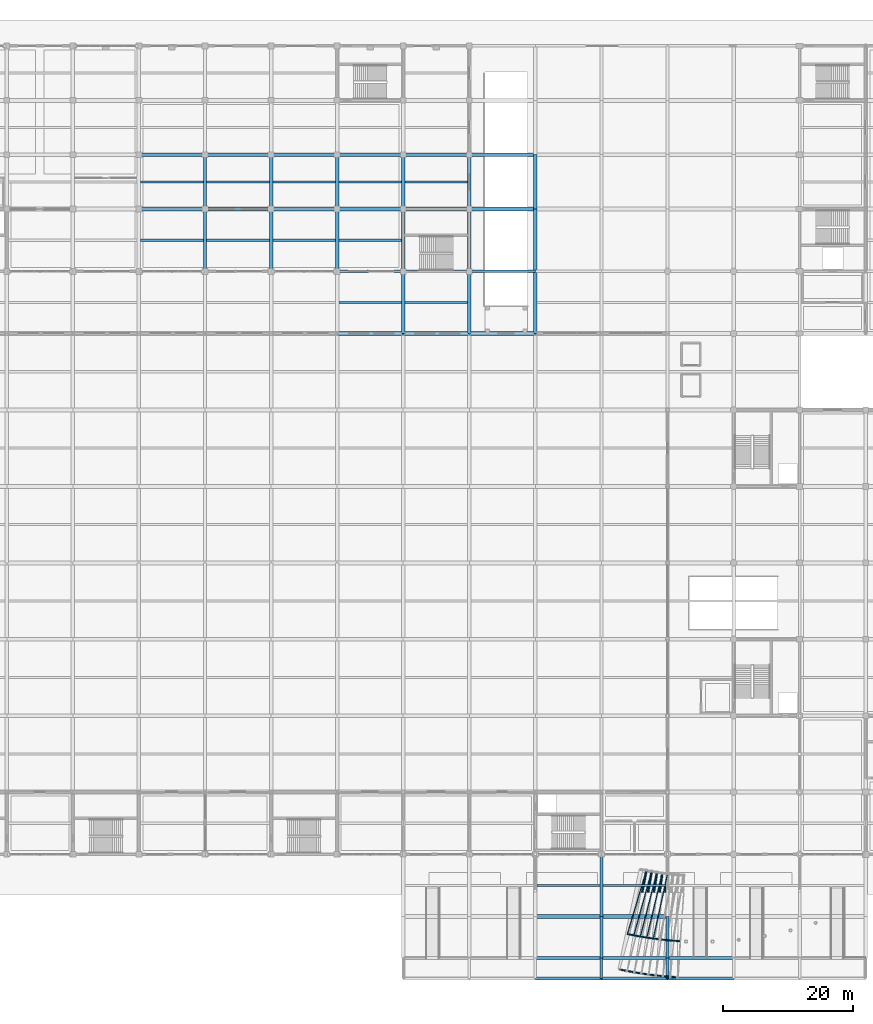
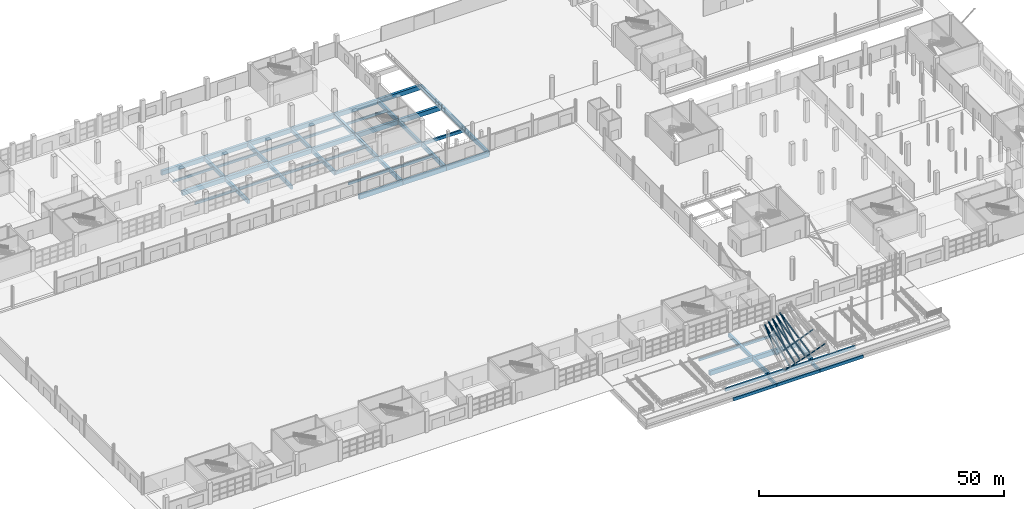
# One storey, part 48 of 124: 59 beams, 26 members.
"""IFC4 building model written with IfcOpenShell, lengths in metres."""

from ifc_helpers import new_model, si_unit, direction, frame, origin, origin_2d, place, context, subcontext, project, spatial, rectangle, hollow_circle, extrude, material, material_profile, profile_set, type_object, element, save


model = new_model("IFC4")

# Units and contexts
model_context = context("Model", 3, precision=1e-05, world=origin(), true_north=direction((0.0, 1.0)))
body_context = subcontext(model_context, "Body", "Model", "MODEL_VIEW")
ifc_project = project(units=[si_unit("LENGTHUNIT", "METRE"), si_unit("AREAUNIT", "SQUARE_METRE"), si_unit("VOLUMEUNIT", "CUBIC_METRE"), si_unit("PLANEANGLEUNIT", "RADIAN"), si_unit("MASSUNIT", "GRAM", prefix="KILO")], contexts=[model_context])

# Site, building, storey
site_placement = place(None, origin())
site = spatial("IfcSite", under=ifc_project, at=site_placement, CompositionType="ELEMENT")
building_placement = place(site_placement, origin())
building = spatial("IfcBuilding", under=site, at=building_placement, Name="Brelvane Convention Centre", CompositionType="ELEMENT")
storey_placement = place(building_placement, origin())
storey = spatial("IfcBuildingStorey", under=building, at=storey_placement, Name="L00", CompositionType="ELEMENT", Elevation=0.0)

# Beams
ifc_material_1 = material(Name="Concrete M50", Category="concrete")
ifc_material_profile_1 = material_profile(ifc_material_1, rectangle(XDim=0.60009765625, YDim=1.10009765625, at=origin_2d()), Name="RC 600x1100")
ifc_profile_set_1 = profile_set([ifc_material_profile_1], Name="Concrete M50")
beam_type_1 = type_object("IfcBeamType", Name="RC Beam B-RC2 (RC 600x1100)", PredefinedType="BEAM", material=ifc_profile_set_1)
for number, where, z_axis, x_axis, name in (
    (1, (61.199951171875, 118.800048828125, -0.97998046875), (1.0, 0.0, 0.0), (0.0, 1.0, 0.0), "L00 Beam 7-8/M"),
    (2, (61.199951171875, 127.199951171875, -0.97998046875), (1.0, 0.0, 0.0), (0.0, 1.0, 0.0), "L00 Beam 7-8/N"),
):
    element("IfcBeam", number, at=place(storey_placement, frame(where, z_axis=z_axis, x_axis=x_axis)), inside=storey, type_object=beam_type_1, Name=name, PredefinedType="BEAM", context=body_context, shape_type="SweptSolid", body=[
        extrude(rectangle(XDim=0.60009765625, YDim=1.10009765625, at=origin_2d()), origin(), (0.0, 0.0, 1.0), 10.199951171875),
    ])
for number, where, z_axis, x_axis, name in (
    (3, (71.39990234375, 118.800048828125, -0.97998046875), (1.0, 0.0, 0.0), (0.0, 1.0, 0.0), "L00 Beam 8-9/M"),
    (4, (71.39990234375, 127.199951171875, -0.97998046875), (1.0, 0.0, 0.0), (0.0, 1.0, 0.0), "L00 Beam 8-9/N"),
):
    element("IfcBeam", number, at=place(storey_placement, frame(where, z_axis=z_axis, x_axis=x_axis)), inside=storey, type_object=beam_type_1, Name=name, PredefinedType="BEAM", context=body_context, shape_type="SweptSolid", body=[
        extrude(rectangle(XDim=0.60009765625, YDim=1.10009765625, at=origin_2d()), origin(), (0.0, 0.0, 1.0), 10.2001953125),
    ])
for number, where, z_axis, x_axis, name in (
    (5, (81.60009765625, 118.800048828125, -0.97998046875), (1.0, 0.0, 0.0), (0.0, 1.0, 0.0), "L00 Beam 9-10/M"),
    (6, (81.60009765625, 127.199951171875, -0.97998046875), (1.0, 0.0, 0.0), (0.0, 1.0, 0.0), "L00 Beam 9-10/N"),
    (7, (91.800048828125, 99.60009765625, -0.949951171875), (1.0, 0.0, 0.0), (0.0, 1.0, 0.0), "L00 Beam 10-11/K"),
    (8, (91.800048828125, 118.800048828125, -0.97998046875), (1.0, 0.0, 0.0), (0.0, 1.0, 0.0), "L00 Beam 10-11/M"),
    (9, (91.800048828125, 127.199951171875, -0.97998046875), (1.0, 0.0, 0.0), (0.0, 1.0, 0.0), "L00 Beam 10-11/N"),
    (10, (102.0, 99.60009765625, -0.949951171875), (1.0, 0.0, 0.0), (0.0, 1.0, 0.0), "L00 Beam 11-12/K"),
    (11, (102.0, 118.800048828125, -0.97998046875), (1.0, 0.0, 0.0), (0.0, 1.0, 0.0), "L00 Beam 11-12/M"),
    (12, (102.0, 127.199951171875, -0.97998046875), (1.0, 0.0, 0.0), (0.0, 1.0, 0.0), "L00 Beam 11-12/N"),
    (13, (112.199951171875, 99.60009765625, -0.949951171875), (1.0, 0.0, 0.0), (0.0, 1.0, 0.0), "L00 Beam 12-13/K"),
    (14, (112.199951171875, 118.800048828125, -0.949951171875), (1.0, 0.0, 0.0), (0.0, 1.0, 0.0), "L00 Beam 12-13/M"),
    (15, (112.199951171875, 127.199951171875, -0.949951171875), (1.0, 0.0, 0.0), (0.0, 1.0, 0.0), "L00 Beam 12-13/N"),
):
    element("IfcBeam", number, at=place(storey_placement, frame(where, z_axis=z_axis, x_axis=x_axis)), inside=storey, type_object=beam_type_1, Name=name, PredefinedType="BEAM", context=body_context, shape_type="SweptSolid", body=[
        extrude(rectangle(XDim=0.60009765625, YDim=1.10009765625, at=origin_2d()), origin(), (0.0, 0.0, 1.0), 10.199951171875),
    ])
beam_1_placement = place(storey_placement, frame((122.39990234375, 9.60009765625, -0.949951171875), z_axis=(1.0, 0.0, 0.0), x_axis=(0.0, 1.0, 0.0)))
element("IfcBeam", 16, at=beam_1_placement, inside=storey, type_object=beam_type_1, Name="L00 Beam 13-14/B", PredefinedType="BEAM", context=body_context, shape_type="SweptSolid", body=[
    extrude(rectangle(XDim=0.60009765625, YDim=1.10009765625, at=origin_2d()), origin(), (0.0, 0.0, 1.0), 10.2001953125),
])
beam_2_placement = place(storey_placement, frame((132.60009765625, 9.60009765625, -0.949951171875), z_axis=(1.0, 0.0, 0.0), x_axis=(0.0, 1.0, 0.0)))
element("IfcBeam", 17, at=beam_2_placement, inside=storey, type_object=beam_type_1, Name="L00 Beam 14-15/B", PredefinedType="BEAM", context=body_context, shape_type="SweptSolid", body=[
    extrude(rectangle(XDim=0.60009765625, YDim=1.10009765625, at=origin_2d()), origin(), (0.0, 0.0, 1.0), 10.199951171875),
])
ifc_material_2 = material(Name="Concrete M50", Category="concrete")
ifc_material_profile_2 = material_profile(ifc_material_2, rectangle(XDim=0.52001953125, YDim=0.949951171875, at=origin_2d()), Name="RC 520x950")
ifc_profile_set_2 = profile_set([ifc_material_profile_2], Name="Concrete M50")
beam_type_2 = type_object("IfcBeamType", Name="RC Beam B-RC9 (RC 520x950)", PredefinedType="BEAM", material=ifc_profile_set_2)
for number, where, z_axis, x_axis, name in (
    (18, (132.60009765625, 3.199951171875, -0.875), (0.0, 1.0, 0.0), (-1.0, 0.0, 0.0), "L00 Plaza Step Tie Girder 4"),
    (19, (142.800048828125, 3.199951171875, -0.875), (0.0, 1.0, 0.0), (-1.0, 0.0, 0.0), "L00 Plaza Step Tie Girder 5"),
):
    element("IfcBeam", number, at=place(storey_placement, frame(where, z_axis=z_axis, x_axis=x_axis)), inside=storey, type_object=beam_type_2, Name=name, PredefinedType="BEAM", context=body_context, shape_type="SweptSolid", body=[
        extrude(rectangle(XDim=0.52001953125, YDim=0.949951171875, at=origin_2d()), origin(), (0.0, 0.0, 1.0), 6.400146484375),
    ])
beam_3_placement = place(storey_placement, frame((71.39990234375, 109.199951171875, -0.905029296875), z_axis=(0.0, 1.0, 0.0), x_axis=(-1.0, 0.0, 0.0)))
element("IfcBeam", 20, at=beam_3_placement, inside=storey, type_object=beam_type_2, Name="L00 Girder 8/L-M", PredefinedType="BEAM", context=body_context, shape_type="SweptSolid", body=[
    extrude(rectangle(XDim=0.52001953125, YDim=0.949951171875, at=origin_2d()), origin(), (0.0, 0.0, 1.0), 9.60009765625),
])
beam_4_placement = place(storey_placement, frame((71.39990234375, 118.800048828125, -0.905029296875), z_axis=(0.0, 1.0, 0.0), x_axis=(-1.0, 0.0, 0.0)))
element("IfcBeam", 21, at=beam_4_placement, inside=storey, type_object=beam_type_2, Name="L00 Girder 8/M-N", PredefinedType="BEAM", context=body_context, shape_type="SweptSolid", body=[
    extrude(rectangle(XDim=0.52001953125, YDim=0.949951171875, at=origin_2d()), origin(), (0.0, 0.0, 1.0), 8.39990234375),
])
beam_5_placement = place(storey_placement, frame((81.60009765625, 109.199951171875, -0.905029296875), z_axis=(0.0, 1.0, 0.0), x_axis=(-1.0, 0.0, 0.0)))
element("IfcBeam", 22, at=beam_5_placement, inside=storey, type_object=beam_type_2, Name="L00 Girder 9/L-M", PredefinedType="BEAM", context=body_context, shape_type="SweptSolid", body=[
    extrude(rectangle(XDim=0.52001953125, YDim=0.949951171875, at=origin_2d()), origin(), (0.0, 0.0, 1.0), 9.60009765625),
])
beam_6_placement = place(storey_placement, frame((81.60009765625, 118.800048828125, -0.905029296875), z_axis=(0.0, 1.0, 0.0), x_axis=(-1.0, 0.0, 0.0)))
element("IfcBeam", 23, at=beam_6_placement, inside=storey, type_object=beam_type_2, Name="L00 Girder 9/M-N", PredefinedType="BEAM", context=body_context, shape_type="SweptSolid", body=[
    extrude(rectangle(XDim=0.52001953125, YDim=0.949951171875, at=origin_2d()), origin(), (0.0, 0.0, 1.0), 8.39990234375),
])
beam_7_placement = place(storey_placement, frame((91.800048828125, 109.199951171875, -0.905029296875), z_axis=(0.0, 1.0, 0.0), x_axis=(-1.0, 0.0, 0.0)))
element("IfcBeam", 24, at=beam_7_placement, inside=storey, type_object=beam_type_2, Name="L00 Girder 10/L-M", PredefinedType="BEAM", context=body_context, shape_type="SweptSolid", body=[
    extrude(rectangle(XDim=0.52001953125, YDim=0.949951171875, at=origin_2d()), origin(), (0.0, 0.0, 1.0), 9.60009765625),
])
beam_8_placement = place(storey_placement, frame((91.800048828125, 118.800048828125, -0.905029296875), z_axis=(0.0, 1.0, 0.0), x_axis=(-1.0, 0.0, 0.0)))
element("IfcBeam", 25, at=beam_8_placement, inside=storey, type_object=beam_type_2, Name="L00 Girder 10/M-N", PredefinedType="BEAM", context=body_context, shape_type="SweptSolid", body=[
    extrude(rectangle(XDim=0.52001953125, YDim=0.949951171875, at=origin_2d()), origin(), (0.0, 0.0, 1.0), 8.39990234375),
])
beam_9_placement = place(storey_placement, frame((102.0, 99.60009765625, -0.875), z_axis=(0.0, 1.0, 0.0), x_axis=(-1.0, 0.0, 0.0)))
element("IfcBeam", 26, at=beam_9_placement, inside=storey, type_object=beam_type_2, Name="L00 Girder 11/K-L", PredefinedType="BEAM", context=body_context, shape_type="SweptSolid", body=[
    extrude(rectangle(XDim=0.52001953125, YDim=0.949951171875, at=origin_2d()), origin(), (0.0, 0.0, 1.0), 9.599853515625),
])
beam_10_placement = place(storey_placement, frame((102.0, 109.199951171875, -0.905029296875), z_axis=(0.0, 1.0, 0.0), x_axis=(-1.0, 0.0, 0.0)))
element("IfcBeam", 27, at=beam_10_placement, inside=storey, type_object=beam_type_2, Name="L00 Girder 11/L-M", PredefinedType="BEAM", context=body_context, shape_type="SweptSolid", body=[
    extrude(rectangle(XDim=0.52001953125, YDim=0.949951171875, at=origin_2d()), origin(), (0.0, 0.0, 1.0), 9.60009765625),
])
beam_11_placement = place(storey_placement, frame((102.0, 118.800048828125, -0.905029296875), z_axis=(0.0, 1.0, 0.0), x_axis=(-1.0, 0.0, 0.0)))
element("IfcBeam", 28, at=beam_11_placement, inside=storey, type_object=beam_type_2, Name="L00 Girder 11/M-N", PredefinedType="BEAM", context=body_context, shape_type="SweptSolid", body=[
    extrude(rectangle(XDim=0.52001953125, YDim=0.949951171875, at=origin_2d()), origin(), (0.0, 0.0, 1.0), 8.39990234375),
])
beam_12_placement = place(storey_placement, frame((112.199951171875, 99.60009765625, -0.875), z_axis=(0.0, 1.0, 0.0), x_axis=(-1.0, 0.0, 0.0)))
element("IfcBeam", 29, at=beam_12_placement, inside=storey, type_object=beam_type_2, Name="L00 Girder 12/K-L", PredefinedType="BEAM", context=body_context, shape_type="SweptSolid", body=[
    extrude(rectangle(XDim=0.52001953125, YDim=0.949951171875, at=origin_2d()), origin(), (0.0, 0.0, 1.0), 9.599853515625),
])
beam_13_placement = place(storey_placement, frame((112.199951171875, 109.199951171875, -0.905029296875), z_axis=(0.0, 1.0, 0.0), x_axis=(-1.0, 0.0, 0.0)))
element("IfcBeam", 30, at=beam_13_placement, inside=storey, type_object=beam_type_2, Name="L00 Girder 12/L-M", PredefinedType="BEAM", context=body_context, shape_type="SweptSolid", body=[
    extrude(rectangle(XDim=0.52001953125, YDim=0.949951171875, at=origin_2d()), origin(), (0.0, 0.0, 1.0), 9.60009765625),
])
beam_14_placement = place(storey_placement, frame((112.199951171875, 118.800048828125, -0.905029296875), z_axis=(0.0, 1.0, 0.0), x_axis=(-1.0, 0.0, 0.0)))
element("IfcBeam", 31, at=beam_14_placement, inside=storey, type_object=beam_type_2, Name="L00 Girder 12/M-N", PredefinedType="BEAM", context=body_context, shape_type="SweptSolid", body=[
    extrude(rectangle(XDim=0.52001953125, YDim=0.949951171875, at=origin_2d()), origin(), (0.0, 0.0, 1.0), 8.39990234375),
])
beam_15_placement = place(storey_placement, frame((122.39990234375, 99.60009765625, -0.875), z_axis=(0.0, 1.0, 0.0), x_axis=(-1.0, 0.0, 0.0)))
element("IfcBeam", 32, at=beam_15_placement, inside=storey, type_object=beam_type_2, Name="L00 Girder 13/K-L", PredefinedType="BEAM", context=body_context, shape_type="SweptSolid", body=[
    extrude(rectangle(XDim=0.52001953125, YDim=0.949951171875, at=origin_2d()), origin(), (0.0, 0.0, 1.0), 9.599853515625),
])
beam_16_placement = place(storey_placement, frame((122.39990234375, 109.199951171875, -0.875), z_axis=(0.0, 1.0, 0.0), x_axis=(-1.0, 0.0, 0.0)))
element("IfcBeam", 33, at=beam_16_placement, inside=storey, type_object=beam_type_2, Name="L00 Girder 13/L-M", PredefinedType="BEAM", context=body_context, shape_type="SweptSolid", body=[
    extrude(rectangle(XDim=0.52001953125, YDim=0.949951171875, at=origin_2d()), origin(), (0.0, 0.0, 1.0), 9.60009765625),
])
beam_17_placement = place(storey_placement, frame((122.39990234375, 118.800048828125, -0.875), z_axis=(0.0, 1.0, 0.0), x_axis=(-1.0, 0.0, 0.0)))
element("IfcBeam", 34, at=beam_17_placement, inside=storey, type_object=beam_type_2, Name="L00 Girder 13/M-N", PredefinedType="BEAM", context=body_context, shape_type="SweptSolid", body=[
    extrude(rectangle(XDim=0.52001953125, YDim=0.949951171875, at=origin_2d()), origin(), (0.0, 0.0, 1.0), 8.39990234375),
])
beam_18_placement = place(storey_placement, frame((132.60009765625, 9.60009765625, -0.875), z_axis=(0.0, 1.0, 0.0), x_axis=(-1.0, 0.0, 0.0)))
element("IfcBeam", 35, at=beam_18_placement, inside=storey, type_object=beam_type_2, Name="L00 Girder 14/B-C", PredefinedType="BEAM", context=body_context, shape_type="SweptSolid", body=[
    extrude(rectangle(XDim=0.52001953125, YDim=0.949951171875, at=origin_2d()), origin(), (0.0, 0.0, 1.0), 9.599853515625),
])
ifc_material_3 = material(Name="Concrete M40", Category="concrete")
ifc_material_profile_3 = material_profile(ifc_material_3, rectangle(XDim=0.320068359375, YDim=0.580078125, at=origin_2d()), Name="RC 320x580")
ifc_profile_set_3 = profile_set([ifc_material_profile_3], Name="Concrete M40")
beam_type_3 = type_object("IfcBeamType", Name="RC Joist J-RC3 (RC 320x580)", PredefinedType="JOIST", material=ifc_profile_set_3)
for number, where, z_axis, x_axis, name in (
    (36, (61.4599609375, 114.0, -0.719970703125), (1.0, 0.0, 0.0), (0.0, 1.0, 0.0), "L00 Secondary Joist 7-8/LM"),
    (37, (61.4599609375, 123.0, -0.719970703125), (1.0, 0.0, 0.0), (0.0, 1.0, 0.0), "L00 Secondary Joist 7-8/MN"),
):
    element("IfcBeam", number, at=place(storey_placement, frame(where, z_axis=z_axis, x_axis=x_axis)), inside=storey, type_object=beam_type_3, Name=name, PredefinedType="JOIST", context=body_context, shape_type="SweptSolid", body=[
        extrude(rectangle(XDim=0.320068359375, YDim=0.580078125, at=origin_2d()), origin(), (0.0, 0.0, 1.0), 9.679931640625),
    ])
for number, where, z_axis, x_axis, name in (
    (38, (71.659912109375, 114.0, -0.719970703125), (1.0, 0.0, 0.0), (0.0, 1.0, 0.0), "L00 Secondary Joist 8-9/LM"),
    (39, (71.659912109375, 123.0, -0.719970703125), (1.0, 0.0, 0.0), (0.0, 1.0, 0.0), "L00 Secondary Joist 8-9/MN"),
):
    element("IfcBeam", number, at=place(storey_placement, frame(where, z_axis=z_axis, x_axis=x_axis)), inside=storey, type_object=beam_type_3, Name=name, PredefinedType="JOIST", context=body_context, shape_type="SweptSolid", body=[
        extrude(rectangle(XDim=0.320068359375, YDim=0.580078125, at=origin_2d()), origin(), (0.0, 0.0, 1.0), 9.68017578125),
    ])
for number, where, z_axis, x_axis, name in (
    (40, (81.860107421875, 114.0, -0.719970703125), (1.0, 0.0, 0.0), (0.0, 1.0, 0.0), "L00 Secondary Joist 9-10/LM"),
    (41, (81.860107421875, 123.0, -0.719970703125), (1.0, 0.0, 0.0), (0.0, 1.0, 0.0), "L00 Secondary Joist 9-10/MN"),
    (42, (92.06005859375, 104.39990234375, -0.68994140625), (1.0, 0.0, 0.0), (0.0, 1.0, 0.0), "L00 Secondary Joist 10-11/KL"),
    (43, (92.06005859375, 114.0, -0.719970703125), (1.0, 0.0, 0.0), (0.0, 1.0, 0.0), "L00 Secondary Joist 10-11/LM"),
    (44, (92.06005859375, 123.0, -0.719970703125), (1.0, 0.0, 0.0), (0.0, 1.0, 0.0), "L00 Secondary Joist 10-11/MN"),
    (45, (102.260009765625, 104.39990234375, -0.68994140625), (1.0, 0.0, 0.0), (0.0, 1.0, 0.0), "L00 Secondary Joist 11-12/KL"),
    (46, (102.260009765625, 123.0, -0.719970703125), (1.0, 0.0, 0.0), (0.0, 1.0, 0.0), "L00 Secondary Joist 11-12/MN"),
):
    element("IfcBeam", number, at=place(storey_placement, frame(where, z_axis=z_axis, x_axis=x_axis)), inside=storey, type_object=beam_type_3, Name=name, PredefinedType="JOIST", context=body_context, shape_type="SweptSolid", body=[
        extrude(rectangle(XDim=0.320068359375, YDim=0.580078125, at=origin_2d()), origin(), (0.0, 0.0, 1.0), 9.679931640625),
    ])
beam_19_placement = place(storey_placement, frame((122.659912109375, 14.39990234375, -0.68994140625), z_axis=(1.0, 0.0, 0.0), x_axis=(0.0, 1.0, 0.0)))
element("IfcBeam", 47, at=beam_19_placement, inside=storey, type_object=beam_type_3, Name="L00 Secondary Joist 13-14/BC", PredefinedType="JOIST", context=body_context, shape_type="SweptSolid", body=[
    extrude(rectangle(XDim=0.320068359375, YDim=0.580078125, at=origin_2d()), origin(), (0.0, 0.0, 1.0), 9.68017578125),
])
beam_20_placement = place(storey_placement, frame((132.860107421875, 14.39990234375, -0.68994140625), z_axis=(1.0, 0.0, 0.0), x_axis=(0.0, 1.0, 0.0)))
element("IfcBeam", 48, at=beam_20_placement, inside=storey, type_object=beam_type_3, Name="L00 Secondary Joist 14-15/BC", PredefinedType="JOIST", context=body_context, shape_type="SweptSolid", body=[
    extrude(rectangle(XDim=0.320068359375, YDim=0.580078125, at=origin_2d()), origin(), (0.0, 0.0, 1.0), 9.739990234375),
])
ifc_material_4 = material(Name="Concrete M40", Category="concrete")
ifc_material_profile_4 = material_profile(ifc_material_4, rectangle(XDim=0.39990234375, YDim=0.75, at=origin_2d()), Name="RC 400x750")
ifc_profile_set_4 = profile_set([ifc_material_profile_4], Name="Concrete M40")
beam_type_4 = type_object("IfcBeamType", Name="RC Spandrel SP-RC1 (RC 400x750)", PredefinedType="SPANDREL", material=ifc_profile_set_4)
for number, where, z_axis, x_axis, name in (
    (49, (122.39990234375, 3.199951171875, -1.27490234375), (1.0, 0.0, 0.0), (0.0, 1.0, 0.0), "L00 Plaza Step Edge Spandrel 3"),
    (50, (122.39990234375, 0.0, -1.675048828125), (1.0, 0.0, 0.0), (0.0, 1.0, 0.0), "L00 Lower Promenade Edge Spandrel 3"),
):
    element("IfcBeam", number, at=place(storey_placement, frame(where, z_axis=z_axis, x_axis=x_axis)), inside=storey, type_object=beam_type_4, Name=name, PredefinedType="SPANDREL", context=body_context, shape_type="SweptSolid", body=[
        extrude(rectangle(XDim=0.39990234375, YDim=0.75, at=origin_2d()), origin(), (0.0, 0.0, 1.0), 10.2001953125),
    ])
beam_21_placement = place(storey_placement, frame((132.60009765625, 0.0, -1.675048828125), z_axis=(0.0, 1.0, 0.0), x_axis=(-1.0, 0.0, 0.0)))
element("IfcBeam", 51, at=beam_21_placement, inside=storey, type_object=beam_type_4, Name="L00 Lower Promenade Rib 4", PredefinedType="SPANDREL", context=body_context, shape_type="SweptSolid", body=[
    extrude(rectangle(XDim=0.39990234375, YDim=0.75, at=origin_2d()), origin(), (0.0, 0.0, 1.0), 3.199951171875),
])
for number, where, z_axis, x_axis, name in (
    (52, (132.60009765625, 3.199951171875, -1.27490234375), (1.0, 0.0, 0.0), (0.0, 1.0, 0.0), "L00 Plaza Step Edge Spandrel 4"),
    (53, (132.60009765625, 0.0, -1.675048828125), (1.0, 0.0, 0.0), (0.0, 1.0, 0.0), "L00 Lower Promenade Edge Spandrel 4"),
):
    element("IfcBeam", number, at=place(storey_placement, frame(where, z_axis=z_axis, x_axis=x_axis)), inside=storey, type_object=beam_type_4, Name=name, PredefinedType="SPANDREL", context=body_context, shape_type="SweptSolid", body=[
        extrude(rectangle(XDim=0.39990234375, YDim=0.75, at=origin_2d()), origin(), (0.0, 0.0, 1.0), 10.199951171875),
    ])
beam_22_placement = place(storey_placement, frame((142.800048828125, 0.0, -1.675048828125), z_axis=(0.0, 1.0, 0.0), x_axis=(-1.0, 0.0, 0.0)))
element("IfcBeam", 54, at=beam_22_placement, inside=storey, type_object=beam_type_4, Name="L00 Lower Promenade Rib 5", PredefinedType="SPANDREL", context=body_context, shape_type="SweptSolid", body=[
    extrude(rectangle(XDim=0.39990234375, YDim=0.75, at=origin_2d()), origin(), (0.0, 0.0, 1.0), 3.199951171875),
])
for number, where, z_axis, x_axis, name in (
    (55, (142.800048828125, 3.199951171875, -1.27490234375), (1.0, 0.0, 0.0), (0.0, 1.0, 0.0), "L00 Plaza Step Edge Spandrel 5"),
    (56, (142.800048828125, 0.0, -1.675048828125), (1.0, 0.0, 0.0), (0.0, 1.0, 0.0), "L00 Lower Promenade Edge Spandrel 5"),
    (57, (91.800048828125, 109.199951171875, -0.804931640625), (1.0, 0.0, 0.0), (0.0, 1.0, 0.0), "L00 Beam 10-11/L"),
    (58, (102.0, 109.199951171875, -0.804931640625), (1.0, 0.0, 0.0), (0.0, 1.0, 0.0), "L00 Beam 11-12/L"),
    (59, (112.199951171875, 109.199951171875, -0.77490234375), (1.0, 0.0, 0.0), (0.0, 1.0, 0.0), "L00 Beam 12-13/L"),
):
    element("IfcBeam", number, at=place(storey_placement, frame(where, z_axis=z_axis, x_axis=x_axis)), inside=storey, type_object=beam_type_4, Name=name, PredefinedType="SPANDREL", context=body_context, shape_type="SweptSolid", body=[
        extrude(rectangle(XDim=0.39990234375, YDim=0.75, at=origin_2d()), origin(), (0.0, 0.0, 1.0), 10.199951171875),
    ])

# Members
ifc_material_5 = material(Name="Steel E350 (350 MPa)", Category="steel")
ifc_material_profile_5 = material_profile(ifc_material_5, hollow_circle(Radius=0.084228515625, WallThickness=0.008056640625, at=origin_2d()), Name="CHS 168.3x8.0")
ifc_profile_set_5 = profile_set([ifc_material_profile_5], Name="Steel E350 (350 MPa)")
member_type_1 = type_object("IfcMemberType", Name="Steel Brace SF-DG3 (CHS 168.3x8.0)", PredefinedType="BRACE", material=ifc_profile_set_5)
for number, where, z_axis, x_axis, name in (
    (60, (142.80615234375, 16.20361328125, 2.8720703125), (-0.214140199226, -0.975427057576, -0.051826927595), (0.976739715925, -0.214428373435, 0.0), "Boulevard Canopy Space-Frame Brace 27"),
    (61, (141.985595703125, 16.307373046875, 2.340576171875), (-0.232186919939, -0.971266477973, -0.052255745849), (0.972595300724, -0.232504582773, 0.0), "Boulevard Canopy Space-Frame Brace 28"),
):
    element("IfcMember", number, at=place(storey_placement, frame(where, z_axis=z_axis, x_axis=x_axis)), inside=storey, type_object=member_type_1, Name=name, PredefinedType="BRACE", context=body_context, shape_type="SweptSolid", body=[
        extrude(hollow_circle(Radius=0.084228515625, WallThickness=0.008056640625, at=origin_2d()), origin(), (0.0, 0.0, 1.0), 10.255126953125),
    ])
member_1_placement = place(storey_placement, frame((141.167236328125, 16.426513671875, 1.8046875), z_axis=(-0.250155909627, -0.966771173388, -0.052683196422), x_axis=(0.968115618656, -0.25050379022, 0.0)))
element("IfcMember", 62, at=member_1_placement, inside=storey, type_object=member_type_1, Name="Boulevard Canopy Space-Frame Brace 29", PredefinedType="BRACE", context=body_context, shape_type="SweptSolid", body=[
    extrude(hollow_circle(Radius=0.084228515625, WallThickness=0.008056640625, at=origin_2d()), origin(), (0.0, 0.0, 1.0), 10.25537109375),
])
member_2_placement = place(storey_placement, frame((140.35107421875, 16.560791015625, 1.264404296875), z_axis=(-0.268029391291, -0.961944368352, -0.053134523613), x_axis=(0.963305168462, -0.268408555032, 0.0)))
element("IfcMember", 63, at=member_2_placement, inside=storey, type_object=member_type_1, Name="Boulevard Canopy Space-Frame Brace 30", PredefinedType="BRACE", context=body_context, shape_type="SweptSolid", body=[
    extrude(hollow_circle(Radius=0.084228515625, WallThickness=0.008056640625, at=origin_2d()), origin(), (0.0, 0.0, 1.0), 10.255615234375),
])
member_3_placement = place(storey_placement, frame((139.53759765625, 16.710205078125, 0.719482421875), z_axis=(-0.285801390615, -0.956789546308, -0.05358478513), x_axis=(0.95816614039, -0.286212591285, 0.0)))
element("IfcMember", 64, at=member_3_placement, inside=storey, type_object=member_type_1, Name="Boulevard Canopy Space-Frame Brace 31", PredefinedType="BRACE", context=body_context, shape_type="SweptSolid", body=[
    extrude(hollow_circle(Radius=0.084228515625, WallThickness=0.008056640625, at=origin_2d()), origin(), (0.0, 0.0, 1.0), 10.255859375),
])
ifc_material_6 = material(Name="Steel E450 (450 MPa)", Category="steel")
ifc_material_profile_6 = material_profile(ifc_material_6, hollow_circle(Radius=0.136474609375, WallThickness=0.012451171875, at=origin_2d()), Name="CHS 273.0x12.5")
ifc_profile_set_6 = profile_set([ifc_material_profile_6], Name="Steel E450 (450 MPa)")
member_type_2 = type_object("IfcMemberType", Name="Steel Chord CN-CH1 (CHS 273.0x12.5)", PredefinedType="CHORD", material=ifc_profile_set_6)
member_4_placement = place(storey_placement, frame((144.654541015625, 5.80224609375, 4.439208984375), z_axis=(-0.888779866653, 0.062719773827, -0.454022663095), x_axis=(-0.070393342568, -0.997519311754, 0.0)))
element("IfcMember", 65, at=member_4_placement, inside=storey, type_object=member_type_2, Name="Boulevard Canopy Arc Chord COL-24", PredefinedType="CHORD", context=body_context, shape_type="SweptSolid", body=[
    extrude(hollow_circle(Radius=0.136474609375, WallThickness=0.012451171875, at=origin_2d()), origin(), (0.0, 0.0, 1.0), 1.140625),
])
member_5_placement = place(storey_placement, frame((144.312744140625, 0.212646484375, 4.439208984375), z_axis=(-0.905460108134, 0.06389853942, -0.419593814584), x_axis=(-0.070395170642, -0.997519182748, 0.0)))
element("IfcMember", 66, at=member_5_placement, inside=storey, type_object=member_type_2, Name="Boulevard Canopy Arc Chord OUT-24", PredefinedType="CHORD", context=body_context, shape_type="SweptSolid", body=[
    extrude(hollow_circle(Radius=0.136474609375, WallThickness=0.012451171875, at=origin_2d()), origin(), (0.0, 0.0, 1.0), 1.234130859375),
])
member_6_placement = place(storey_placement, frame((143.640869140625, 5.873779296875, 3.92138671875), z_axis=(-0.885843301874, 0.07884133584, -0.457237015439), x_axis=(-0.088651025947, -0.996062746818, 0.0)))
element("IfcMember", 67, at=member_6_placement, inside=storey, type_object=member_type_2, Name="Boulevard Canopy Arc Chord COL-25", PredefinedType="CHORD", context=body_context, shape_type="SweptSolid", body=[
    extrude(hollow_circle(Radius=0.136474609375, WallThickness=0.012451171875, at=origin_2d()), origin(), (0.0, 0.0, 1.0), 1.142578125),
])
member_7_placement = place(storey_placement, frame((143.1953125, 0.29150390625, 3.92138671875), z_axis=(-0.902657583349, 0.080407449425, -0.422781183709), x_axis=(-0.088727243572, -0.9960559604, 0.0)))
element("IfcMember", 68, at=member_7_placement, inside=storey, type_object=member_type_2, Name="Boulevard Canopy Arc Chord OUT-25", PredefinedType="CHORD", context=body_context, shape_type="SweptSolid", body=[
    extrude(hollow_circle(Radius=0.136474609375, WallThickness=0.012451171875, at=origin_2d()), origin(), (0.0, 0.0, 1.0), 1.23583984375),
])
member_8_placement = place(storey_placement, frame((142.628662109375, 5.9638671875, 3.39892578125), z_axis=(-0.882629523353, 0.095344465186, -0.460298335282), x_axis=(-0.107398400431, -0.994216064839, 0.0)))
element("IfcMember", 69, at=member_8_placement, inside=storey, type_object=member_type_2, Name="Boulevard Canopy Arc Chord COL-26", PredefinedType="CHORD", context=body_context, shape_type="SweptSolid", body=[
    extrude(hollow_circle(Radius=0.136474609375, WallThickness=0.012451171875, at=origin_2d()), origin(), (0.0, 0.0, 1.0), 1.14453125),
])
member_9_placement = place(storey_placement, frame((142.079833984375, 0.390869140625, 3.39892578125), z_axis=(-0.899660666208, 0.09704736851, -0.425667116351), x_axis=(-0.107248902377, -0.994232202727, 0.0)))
element("IfcMember", 70, at=member_9_placement, inside=storey, type_object=member_type_2, Name="Boulevard Canopy Arc Chord OUT-26", PredefinedType="CHORD", context=body_context, shape_type="SweptSolid", body=[
    extrude(hollow_circle(Radius=0.136474609375, WallThickness=0.012451171875, at=origin_2d()), origin(), (0.0, 0.0, 1.0), 1.23779296875),
])
member_10_placement = place(storey_placement, frame((141.618408203125, 6.072998046875, 2.8720703125), z_axis=(-0.879147100838, 0.111117381752, -0.46341482773), x_axis=(-0.125394630585, -0.992106943137, 0.0)))
element("IfcMember", 71, at=member_10_placement, inside=storey, type_object=member_type_2, Name="Boulevard Canopy Arc Chord COL-27", PredefinedType="CHORD", context=body_context, shape_type="SweptSolid", body=[
    extrude(hollow_circle(Radius=0.136474609375, WallThickness=0.012451171875, at=origin_2d()), origin(), (0.0, 0.0, 1.0), 1.14697265625),
])
member_11_placement = place(storey_placement, frame((140.96630859375, 0.510986328125, 2.8720703125), z_axis=(-0.896316417671, 0.113417894679, -0.428664508188), x_axis=(-0.125536741507, -0.992088971077, 0.0)))
element("IfcMember", 72, at=member_11_placement, inside=storey, type_object=member_type_2, Name="Boulevard Canopy Arc Chord OUT-27", PredefinedType="CHORD", context=body_context, shape_type="SweptSolid", body=[
    extrude(hollow_circle(Radius=0.136474609375, WallThickness=0.012451171875, at=origin_2d()), origin(), (0.0, 0.0, 1.0), 1.239990234375),
])
member_12_placement = place(storey_placement, frame((140.610107421875, 6.200439453125, 2.340576171875), z_axis=(-0.875310083702, 0.127503289687, -0.466449534772), x_axis=(-0.144145164313, -0.98955655301, 0.0)))
element("IfcMember", 73, at=member_12_placement, inside=storey, type_object=member_type_2, Name="Boulevard Canopy Arc Chord COL-28", PredefinedType="CHORD", context=body_context, shape_type="SweptSolid", body=[
    extrude(hollow_circle(Radius=0.136474609375, WallThickness=0.012451171875, at=origin_2d()), origin(), (0.0, 0.0, 1.0), 1.14892578125),
])
member_13_placement = place(storey_placement, frame((139.85498046875, 0.651611328125, 2.340576171875), z_axis=(-0.892661147033, 0.129966744094, -0.431583968664), x_axis=(-0.144075676339, -0.989566672583, 0.0)))
element("IfcMember", 74, at=member_13_placement, inside=storey, type_object=member_type_2, Name="Boulevard Canopy Arc Chord OUT-28", PredefinedType="CHORD", context=body_context, shape_type="SweptSolid", body=[
    extrude(hollow_circle(Radius=0.136474609375, WallThickness=0.012451171875, at=origin_2d()), origin(), (0.0, 0.0, 1.0), 1.24169921875),
])
member_14_placement = place(storey_placement, frame((139.6044921875, 6.346923828125, 1.8046875), z_axis=(-0.871234659486, 0.143402636916, -0.469452715228), x_axis=(-0.162411688441, -0.986723083473, 0.0)))
element("IfcMember", 75, at=member_14_placement, inside=storey, type_object=member_type_2, Name="Boulevard Canopy Arc Chord COL-29", PredefinedType="CHORD", context=body_context, shape_type="SweptSolid", body=[
    extrude(hollow_circle(Radius=0.136474609375, WallThickness=0.012451171875, at=origin_2d()), origin(), (0.0, 0.0, 1.0), 1.15087890625),
])
member_15_placement = place(storey_placement, frame((138.74658203125, 0.81298828125, 1.8046875), z_axis=(-0.888739040396, 0.146258136756, -0.434455378042), x_axis=(-0.162383940679, -0.986727650271, 0.0)))
element("IfcMember", 76, at=member_15_placement, inside=storey, type_object=member_type_2, Name="Boulevard Canopy Arc Chord OUT-29", PredefinedType="CHORD", context=body_context, shape_type="SweptSolid", body=[
    extrude(hollow_circle(Radius=0.136474609375, WallThickness=0.012451171875, at=origin_2d()), origin(), (0.0, 0.0, 1.0), 1.24365234375),
])
member_16_placement = place(storey_placement, frame((138.601806640625, 6.511962890625, 1.264404296875), z_axis=(-0.86679405507, 0.159215713095, -0.472565786741), x_axis=(-0.180661006053, -0.983545423909, 0.0)))
element("IfcMember", 77, at=member_16_placement, inside=storey, type_object=member_type_2, Name="Boulevard Canopy Arc Chord COL-30", PredefinedType="CHORD", context=body_context, shape_type="SweptSolid", body=[
    extrude(hollow_circle(Radius=0.136474609375, WallThickness=0.012451171875, at=origin_2d()), origin(), (0.0, 0.0, 1.0), 1.153076171875),
])
member_17_placement = place(storey_placement, frame((137.641357421875, 0.994873046875, 1.264404296875), z_axis=(-0.884413353465, 0.162495272611, -0.437502350384), x_axis=(-0.180707464771, -0.983536889077, 0.0)))
element("IfcMember", 78, at=member_17_placement, inside=storey, type_object=member_type_2, Name="Boulevard Canopy Arc Chord OUT-30", PredefinedType="CHORD", context=body_context, shape_type="SweptSolid", body=[
    extrude(hollow_circle(Radius=0.136474609375, WallThickness=0.012451171875, at=origin_2d()), origin(), (0.0, 0.0, 1.0), 1.24560546875),
])
member_18_placement = place(storey_placement, frame((137.602294921875, 6.695556640625, 0.719482421875), z_axis=(-0.862054451174, 0.174777894366, -0.475725562538), x_axis=(-0.198702971279, -0.980059757976, 0.0)))
element("IfcMember", 79, at=member_18_placement, inside=storey, type_object=member_type_2, Name="Boulevard Canopy Arc Chord COL-31", PredefinedType="CHORD", context=body_context, shape_type="SweptSolid", body=[
    extrude(hollow_circle(Radius=0.136474609375, WallThickness=0.012451171875, at=origin_2d()), origin(), (0.0, 0.0, 1.0), 1.1552734375),
])
member_19_placement = place(storey_placement, frame((136.539794921875, 1.197265625, 0.719482421875), z_axis=(-0.879832308289, 0.178471322322, -0.440503230862), x_axis=(-0.198798238346, -0.980040438161, 0.0)))
element("IfcMember", 80, at=member_19_placement, inside=storey, type_object=member_type_2, Name="Boulevard Canopy Arc Chord OUT-31", PredefinedType="CHORD", context=body_context, shape_type="SweptSolid", body=[
    extrude(hollow_circle(Radius=0.136474609375, WallThickness=0.012451171875, at=origin_2d()), origin(), (0.0, 0.0, 1.0), 1.24755859375),
])
ifc_material_7 = material(Name="Steel E450 (450 MPa)", Category="steel")
ifc_material_profile_7 = material_profile(ifc_material_7, hollow_circle(Radius=0.177734375, WallThickness=0.01611328125, at=origin_2d()), Name="CHS 355.6x16.0")
ifc_profile_set_7 = profile_set([ifc_material_profile_7], Name="Steel E450 (450 MPa)")
member_type_3 = type_object("IfcMemberType", Name="Steel Rafter CN-RF1 (CHS 355.6x16.0)", PredefinedType="RAFTER", material=ifc_profile_set_7)
for number, where, z_axis, x_axis, name in (
    (81, (142.80615234375, 16.20361328125, 2.8720703125), (-0.116444975348, -0.993197144436, 0.0), (0.993197144436, -0.116444975348, 0.0), "Boulevard Canopy Radial Rafter R-27"),
    (82, (141.985595703125, 16.307373046875, 2.340576171875), (-0.13484841827, -0.990866239252, 0.0), (0.990866239252, -0.13484841827, 0.0), "Boulevard Canopy Radial Rafter R-28"),
    (83, (141.167236328125, 16.426513671875, 1.8046875), (-0.153205433513, -0.988194361015, 0.0), (0.988194361015, -0.153205433513, 0.0), "Boulevard Canopy Radial Rafter R-29"),
    (84, (140.35107421875, 16.560791015625, 1.264404296875), (-0.171500936917, -0.985183956749, 0.0), (0.985183956749, -0.171500936917, 0.0), "Boulevard Canopy Radial Rafter R-30"),
    (85, (139.53759765625, 16.710205078125, 0.719482421875), (-0.189735067861, -0.98183532429, 0.0), (0.98183532429, -0.189735067861, 0.0), "Boulevard Canopy Radial Rafter R-31"),
):
    element("IfcMember", number, at=place(storey_placement, frame(where, z_axis=z_axis, x_axis=x_axis)), inside=storey, type_object=member_type_3, Name=name, PredefinedType="RAFTER", context=body_context, shape_type="SweptSolid", body=[
        extrude(hollow_circle(Radius=0.177734375, WallThickness=0.01611328125, at=origin_2d()), origin(), (0.0, 0.0, 1.0), 15.800048828125),
    ])

save(model, "model.ifc")
